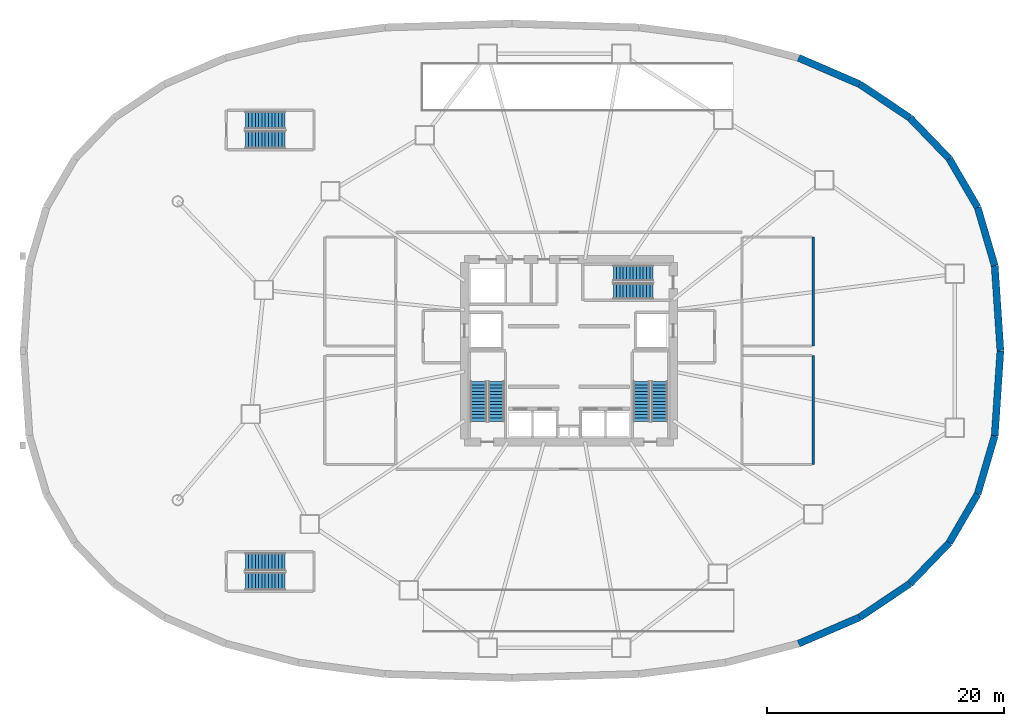
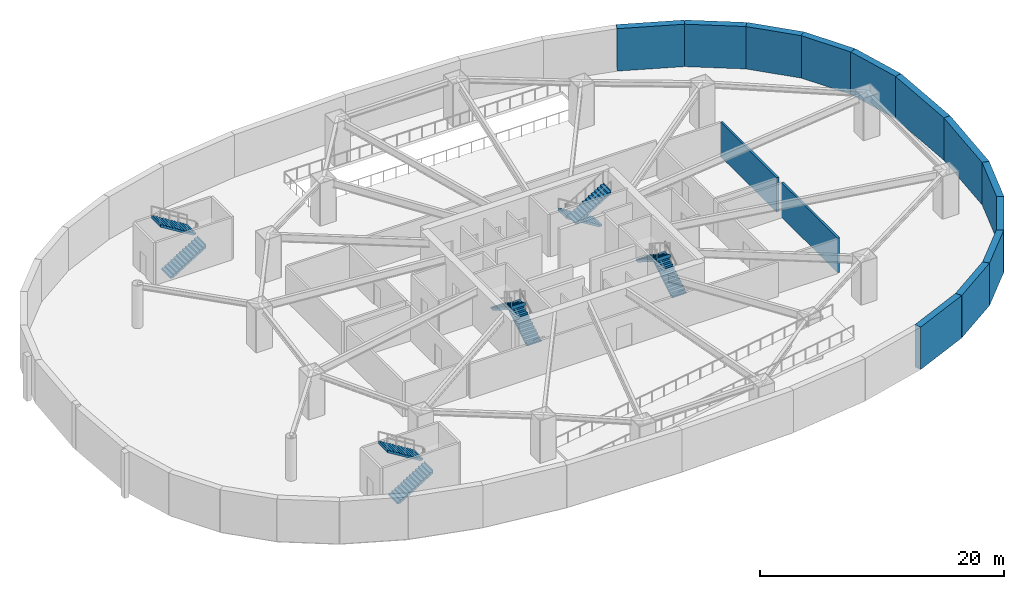
# One storey, part 5 of 10: 14 walls, 10 stair flights, 5 elements without a shape of their own.
"""IFC4 building model written with IfcOpenShell, lengths in metres."""

from ifc_helpers import new_model, si_unit, direction, frame, frame_2d, origin, place, context, subcontext, project, spatial, polyline, rectangle, outline, extrude, material, layer, layer_set, type_object, element, aggregate, save


model = new_model("IFC4")

# Units and contexts
model_context = context("Model", 3, precision=1e-05, world=origin(), true_north=direction((0.0, 1.0)))
body_context = subcontext(model_context, "Body", "Model", "MODEL_VIEW")
ifc_project = project(units=[si_unit("LENGTHUNIT", "METRE"), si_unit("AREAUNIT", "SQUARE_METRE"), si_unit("VOLUMEUNIT", "CUBIC_METRE"), si_unit("PLANEANGLEUNIT", "RADIAN"), si_unit("MASSUNIT", "GRAM", prefix="KILO"), si_unit("THERMODYNAMICTEMPERATUREUNIT", "KELVIN")], contexts=[model_context])

# Site, building, storey
site_placement = place(None, origin())
site = spatial("IfcSite", under=ifc_project, at=site_placement, CompositionType="ELEMENT")
building_placement = place(site_placement, origin())
building = spatial("IfcBuilding", under=site, at=building_placement, Name="Kethvar Cultural Tower", CompositionType="ELEMENT")
storey_placement = place(building_placement, frame((0.0, 0.0, -4.5)))
storey = spatial("IfcBuildingStorey", under=building, at=storey_placement, Name="B01", CompositionType="ELEMENT", Elevation=-4.5)

# Walls
ifc_material_1 = material(Name="Concrete C45/55", Category="concrete")
ifc_layer_1 = layer(ifc_material_1, 0.60009765625, Name="Concrete C45/55", Category="concrete")
ifc_layer_set_1 = layer_set([ifc_layer_1], Name="Concrete C45/55 (600 mm)")
wall_type_1 = type_object("IfcWallType", Name="WL-BSMT-600", PredefinedType="SHEAR", material=ifc_layer_set_1)
wall_1_placement = place(storey_placement, frame((83.199951171875, 27.800048828125, 0.0), z_axis=(0.0, 0.0, 1.0), x_axis=(-0.067018998283, 0.997751699507, 0.0)))
element("IfcWall", 1, at=wall_1_placement, inside=storey, type_object=wall_type_1, Name="B01 Perimeter Retaining Wall 01", PredefinedType="SHEAR", context=body_context, shape_type="SweptSolid", body=[
    extrude(rectangle(XDim=7.194580078125, YDim=0.60009765625, at=frame_2d((3.59716796875, 0.0))), origin(), (0.0, 0.0, 1.0), 4.25),
])
wall_2_placement = place(storey_placement, frame((82.7177734375, 34.978515625, 0.0), z_axis=(0.0, 0.0, 1.0), x_axis=(-0.281735210535, 0.959492194416, 0.0)))
element("IfcWall", 2, at=wall_2_placement, inside=storey, type_object=wall_type_1, Name="B01 Perimeter Retaining Wall 02", PredefinedType="SHEAR", context=body_context, shape_type="SweptSolid", body=[
    extrude(rectangle(XDim=5.12060546875, YDim=0.60009765625, at=frame_2d((2.560302734375, 0.0))), origin(), (0.0, 0.0, 1.0), 4.25),
])
wall_3_placement = place(storey_placement, frame((81.275146484375, 39.8916015625, 0.0), z_axis=(0.0, 0.0, 1.0), x_axis=(-0.503496923494, 0.863997018532, 0.0)))
element("IfcWall", 3, at=wall_3_placement, inside=storey, type_object=wall_type_1, Name="B01 Perimeter Retaining Wall 03", PredefinedType="SHEAR", context=body_context, shape_type="SweptSolid", body=[
    extrude(rectangle(XDim=4.748046875, YDim=0.60009765625, at=frame_2d((2.3740234375, 0.0))), origin(), (0.0, 0.0, 1.0), 4.25),
])
wall_4_placement = place(storey_placement, frame((78.884521484375, 43.993896484375, 0.0), z_axis=(0.0, 0.0, 1.0), x_axis=(-0.693368389068, 0.720583289455, 0.0)))
element("IfcWall", 4, at=wall_4_placement, inside=storey, type_object=wall_type_1, Name="B01 Perimeter Retaining Wall 04", PredefinedType="SHEAR", context=body_context, shape_type="SweptSolid", body=[
    extrude(rectangle(XDim=4.79052734375, YDim=0.60009765625, at=frame_2d((2.395263671875, 0.0))), origin(), (0.0, 0.0, 1.0), 4.25),
])
wall_5_placement = place(storey_placement, frame((75.56298828125, 47.44580078125, 0.0), z_axis=(0.0, 0.0, 1.0), x_axis=(-0.830803406524, 0.556565988638, 0.0)))
element("IfcWall", 5, at=wall_5_placement, inside=storey, type_object=wall_type_1, Name="B01 Perimeter Retaining Wall 05", PredefinedType="SHEAR", context=body_context, shape_type="SweptSolid", body=[
    extrude(rectangle(XDim=5.099365234375, YDim=0.60009765625, at=frame_2d((2.5498046875, 0.0))), origin(), (0.0, 0.0, 1.0), 4.25),
])
wall_6_placement = place(storey_placement, frame((71.326416015625, 50.283935546875, 0.0), z_axis=(0.0, 0.0, 1.0), x_axis=(-0.918068469745, 0.396421852147, 0.0)))
element("IfcWall", 6, at=wall_6_placement, inside=storey, type_object=wall_type_1, Name="B01 Perimeter Retaining Wall 06", PredefinedType="SHEAR", context=body_context, shape_type="SweptSolid", body=[
    extrude(rectangle(XDim=5.613037109375, YDim=0.60009765625, at=frame_2d((2.806640625, 0.0))), origin(), (0.0, 0.0, 1.0), 4.25),
])
wall_7_placement = place(storey_placement, frame((66.17333984375, 3.091064453125, 0.0), z_axis=(0.0, 0.0, 1.0), x_axis=(0.918084299297, 0.396385190671, 0.0)))
element("IfcWall", 7, at=wall_7_placement, inside=storey, type_object=wall_type_1, Name="B01 Perimeter Retaining Wall 31", PredefinedType="SHEAR", context=body_context, shape_type="SweptSolid", body=[
    extrude(rectangle(XDim=5.61279296875, YDim=0.60009765625, at=frame_2d((2.806396484375, 0.0))), origin(), (0.0, 0.0, 1.0), 4.25),
])
wall_8_placement = place(storey_placement, frame((71.326416015625, 5.31591796875, 0.0), z_axis=(0.0, 0.0, 1.0), x_axis=(0.830781268444, 0.556599033419, 0.0)))
element("IfcWall", 8, at=wall_8_placement, inside=storey, type_object=wall_type_1, Name="B01 Perimeter Retaining Wall 32", PredefinedType="SHEAR", context=body_context, shape_type="SweptSolid", body=[
    extrude(rectangle(XDim=5.099609375, YDim=0.60009765625, at=frame_2d((2.5498046875, 0.0))), origin(), (0.0, 0.0, 1.0), 4.25),
])
wall_9_placement = place(storey_placement, frame((75.56298828125, 8.154296875, 0.0), z_axis=(0.0, 0.0, 1.0), x_axis=(0.693368389068, 0.720583289455, 0.0)))
element("IfcWall", 9, at=wall_9_placement, inside=storey, type_object=wall_type_1, Name="B01 Perimeter Retaining Wall 33", PredefinedType="SHEAR", context=body_context, shape_type="SweptSolid", body=[
    extrude(rectangle(XDim=4.79052734375, YDim=0.60009765625, at=frame_2d((2.395263671875, 0.0))), origin(), (0.0, 0.0, 1.0), 4.25),
])
wall_10_placement = place(storey_placement, frame((78.884521484375, 11.606201171875, 0.0), z_axis=(0.0, 0.0, 1.0), x_axis=(0.503519292696, 0.863983982423, 0.0)))
element("IfcWall", 10, at=wall_10_placement, inside=storey, type_object=wall_type_1, Name="B01 Perimeter Retaining Wall 34", PredefinedType="SHEAR", context=body_context, shape_type="SweptSolid", body=[
    extrude(rectangle(XDim=4.747802734375, YDim=0.60009765625, at=frame_2d((2.3740234375, 0.0))), origin(), (0.0, 0.0, 1.0), 4.25),
])
wall_11_placement = place(storey_placement, frame((81.275146484375, 15.708251953125, 0.0), z_axis=(0.0, 0.0, 1.0), x_axis=(0.281735210535, 0.959492194416, 0.0)))
element("IfcWall", 11, at=wall_11_placement, inside=storey, type_object=wall_type_1, Name="B01 Perimeter Retaining Wall 35", PredefinedType="SHEAR", context=body_context, shape_type="SweptSolid", body=[
    extrude(rectangle(XDim=5.12060546875, YDim=0.60009765625, at=frame_2d((2.560302734375, 0.0))), origin(), (0.0, 0.0, 1.0), 4.25),
])
wall_12_placement = place(storey_placement, frame((82.7177734375, 20.621337890625, 0.0), z_axis=(0.0, 0.0, 1.0), x_axis=(0.067016729273, 0.997751851914, 0.0)))
element("IfcWall", 12, at=wall_12_placement, inside=storey, type_object=wall_type_1, Name="B01 Perimeter Retaining Wall 36", PredefinedType="SHEAR", context=body_context, shape_type="SweptSolid", body=[
    extrude(rectangle(XDim=7.19482421875, YDim=0.60009765625, at=frame_2d((3.597412109375, 0.0))), origin(), (0.0, 0.0, 1.0), 4.25),
])
ifc_material_2 = material(Name="Concrete C40/50", Category="concrete")
ifc_layer_2 = layer(ifc_material_2, 0.199951171875, Name="Concrete C40/50", Category="concrete")
ifc_layer_set_2 = layer_set([ifc_layer_2], Name="Concrete C40/50 (200 mm)")
wall_type_2 = type_object("IfcWallType", Name="WL-FIRE-200", PredefinedType="PARTITIONING", material=ifc_layer_set_2)
for number, where, z_axis, x_axis, name in (
    (13, (67.39990234375, 18.199951171875, 0.0), (0.0, 0.0, 1.0), (0.0, 1.0, 0.0), "B01 Domestic Water Plant Room Back Wall"),
    (14, (67.39990234375, 28.199951171875, 0.0), (0.0, 0.0, 1.0), (0.0, 1.0, 0.0), "B01 Main LV Switchboard Room Back Wall"),
):
    element("IfcWall", number, at=place(storey_placement, frame(where, z_axis=z_axis, x_axis=x_axis)), inside=storey, type_object=wall_type_2, Name=name, PredefinedType="PARTITIONING", context=body_context, shape_type="SweptSolid", body=[
        extrude(rectangle(XDim=9.199951171875, YDim=0.199951171875, at=frame_2d((4.60009765625, 0.0))), origin(), (0.0, 0.0, 1.0), 3.462890625),
    ])

# Stair, stair flights
stair_type_1 = type_object("IfcStairType", Name="ST-DOGLEG-135", PredefinedType="HALF_TURN_STAIR", material=ifc_material_2)
stair_1_placement = place(storey_placement, origin())
stair_1 = element("IfcStair", 15, at=stair_1_placement, inside=storey, type_object=stair_type_1, Name="B01 Core Exit Stair 1", PredefinedType="HALF_TURN_STAIR")
stair_flight_type_1 = type_object("IfcStairFlightType", Name="FL-STRAIGHT-135", PredefinedType="STRAIGHT", material=ifc_material_2)
stair_flight_1_placement = place(storey_placement, frame((40.675048828125, 21.85009765625, 0.0), z_axis=(0.0, 0.0, 1.0), x_axis=(0.0, 1.0, 0.0)))
stair_flight_1 = element("IfcStairFlight", 16, at=stair_flight_1_placement, type_object=stair_flight_type_1, Name="ST-01 flight 1", NumberOfRisers=13, NumberOfTreads=12, PredefinedType="STRAIGHT", RiserHeight=0.173076923, TreadLength=0.28, context=body_context, shape_type="SweptSolid", body=[
    extrude(outline(polyline([(-0.0009765625, -0.0009765625), (-0.0009765625, 0.173095703125), (0.280029296875, 0.173095703125), (0.280029296875, 0.34619140625), (0.56005859375, 0.34619140625), (0.56005859375, 0.519287109375), (0.840087890625, 0.519287109375), (0.840087890625, 0.6923828125), (1.1201171875, 0.6923828125), (1.1201171875, 0.865478515625), (1.39990234375, 0.865478515625), (1.39990234375, 1.03857421875), (1.679931640625, 1.03857421875), (1.679931640625, 1.21142578125), (1.9599609375, 1.21142578125), (1.9599609375, 1.384521484375), (2.239990234375, 1.384521484375), (2.239990234375, 1.5576171875), (2.52001953125, 1.5576171875), (2.52001953125, 1.730712890625), (2.800048828125, 1.730712890625), (2.800048828125, 1.90380859375), (3.080078125, 1.90380859375), (3.080078125, 2.076904296875), (3.360107421875, 2.076904296875), (3.360107421875, 2.25), (3.361083984375, 2.25), (3.361083984375, 1.900634765625), (0.28515625, 0.0), (0.0, -0.0009765625), (-0.0009765625, -0.0009765625)])), frame((0.0, 0.675048828125, 0.0), z_axis=(0.0, -1.0, 0.0), x_axis=(1.0, 0.0, 0.0)), (0.0, 0.0, 1.0), 1.35009765625),
])
stair_flight_2_placement = place(storey_placement, frame((39.1650390625, 25.2099609375, 2.25), z_axis=(0.0, 0.0, 1.0), x_axis=(0.0, -1.0, 0.0)))
stair_flight_2 = element("IfcStairFlight", 17, at=stair_flight_2_placement, type_object=stair_flight_type_1, Name="ST-01 flight 2", NumberOfRisers=13, NumberOfTreads=12, PredefinedType="STRAIGHT", RiserHeight=0.173076923, TreadLength=0.28, context=body_context, shape_type="SweptSolid", body=[
    extrude(outline(polyline([(-0.0009765625, -0.0009765625), (-0.0009765625, 0.173095703125), (0.280029296875, 0.173095703125), (0.280029296875, 0.34619140625), (0.56005859375, 0.34619140625), (0.56005859375, 0.519287109375), (0.840087890625, 0.519287109375), (0.840087890625, 0.6923828125), (1.1201171875, 0.6923828125), (1.1201171875, 0.865478515625), (1.39990234375, 0.865478515625), (1.39990234375, 1.03857421875), (1.679931640625, 1.03857421875), (1.679931640625, 1.21142578125), (1.9599609375, 1.21142578125), (1.9599609375, 1.384521484375), (2.239990234375, 1.384521484375), (2.239990234375, 1.5576171875), (2.52001953125, 1.5576171875), (2.52001953125, 1.730712890625), (2.800048828125, 1.730712890625), (2.800048828125, 1.90380859375), (3.080078125, 1.90380859375), (3.080078125, 2.076904296875), (3.360107421875, 2.076904296875), (3.360107421875, 2.25), (3.361083984375, 2.25), (3.361083984375, 1.900634765625), (0.28515625, 0.0), (0.0, -0.0009765625), (-0.0009765625, -0.0009765625)])), frame((0.0, 0.675048828125, 0.0), z_axis=(0.0, -1.0, 0.0), x_axis=(1.0, 0.0, 0.0)), (0.0, 0.0, 1.0), 1.35009765625),
])
aggregate(stair_1, [stair_flight_1, stair_flight_2])

stair_2_placement = place(storey_placement, origin())
stair_2 = element("IfcStair", 18, at=stair_2_placement, inside=storey, type_object=stair_type_1, Name="B01 Core Exit Stair 2", PredefinedType="HALF_TURN_STAIR")
stair_flight_3_placement = place(storey_placement, frame((54.43505859375, 21.85009765625, 0.0), z_axis=(0.0, 0.0, 1.0), x_axis=(0.0, 1.0, 0.0)))
stair_flight_3 = element("IfcStairFlight", 19, at=stair_flight_3_placement, type_object=stair_flight_type_1, Name="ST-02 flight 1", NumberOfRisers=13, NumberOfTreads=12, PredefinedType="STRAIGHT", RiserHeight=0.173076923, TreadLength=0.28, context=body_context, shape_type="SweptSolid", body=[
    extrude(outline(polyline([(-0.0009765625, -0.0009765625), (-0.0009765625, 0.173095703125), (0.280029296875, 0.173095703125), (0.280029296875, 0.34619140625), (0.56005859375, 0.34619140625), (0.56005859375, 0.519287109375), (0.840087890625, 0.519287109375), (0.840087890625, 0.6923828125), (1.1201171875, 0.6923828125), (1.1201171875, 0.865478515625), (1.39990234375, 0.865478515625), (1.39990234375, 1.03857421875), (1.679931640625, 1.03857421875), (1.679931640625, 1.21142578125), (1.9599609375, 1.21142578125), (1.9599609375, 1.384521484375), (2.239990234375, 1.384521484375), (2.239990234375, 1.5576171875), (2.52001953125, 1.5576171875), (2.52001953125, 1.730712890625), (2.800048828125, 1.730712890625), (2.800048828125, 1.90380859375), (3.080078125, 1.90380859375), (3.080078125, 2.076904296875), (3.360107421875, 2.076904296875), (3.360107421875, 2.25), (3.361083984375, 2.25), (3.361083984375, 1.900634765625), (0.28515625, 0.0), (0.0, -0.0009765625), (-0.0009765625, -0.0009765625)])), frame((0.0, 0.675048828125, 0.0), z_axis=(0.0, -1.0, 0.0), x_axis=(1.0, 0.0, 0.0)), (0.0, 0.0, 1.0), 1.35009765625),
])
stair_flight_4_placement = place(storey_placement, frame((52.925048828125, 25.2099609375, 2.25), z_axis=(0.0, 0.0, 1.0), x_axis=(0.0, -1.0, 0.0)))
stair_flight_4 = element("IfcStairFlight", 20, at=stair_flight_4_placement, type_object=stair_flight_type_1, Name="ST-02 flight 2", NumberOfRisers=13, NumberOfTreads=12, PredefinedType="STRAIGHT", RiserHeight=0.173076923, TreadLength=0.28, context=body_context, shape_type="SweptSolid", body=[
    extrude(outline(polyline([(-0.0009765625, -0.0009765625), (-0.0009765625, 0.173095703125), (0.280029296875, 0.173095703125), (0.280029296875, 0.34619140625), (0.56005859375, 0.34619140625), (0.56005859375, 0.519287109375), (0.840087890625, 0.519287109375), (0.840087890625, 0.6923828125), (1.1201171875, 0.6923828125), (1.1201171875, 0.865478515625), (1.39990234375, 0.865478515625), (1.39990234375, 1.03857421875), (1.679931640625, 1.03857421875), (1.679931640625, 1.21142578125), (1.9599609375, 1.21142578125), (1.9599609375, 1.384521484375), (2.239990234375, 1.384521484375), (2.239990234375, 1.5576171875), (2.52001953125, 1.5576171875), (2.52001953125, 1.730712890625), (2.800048828125, 1.730712890625), (2.800048828125, 1.90380859375), (3.080078125, 1.90380859375), (3.080078125, 2.076904296875), (3.360107421875, 2.076904296875), (3.360107421875, 2.25), (3.361083984375, 2.25), (3.361083984375, 1.900634765625), (0.28515625, 0.0), (0.0, -0.0009765625), (-0.0009765625, -0.0009765625)])), frame((0.0, 0.675048828125, 0.0), z_axis=(0.0, -1.0, 0.0), x_axis=(1.0, 0.0, 0.0)), (0.0, 0.0, 1.0), 1.35009765625),
])
aggregate(stair_2, [stair_flight_3, stair_flight_4])

stair_3_placement = place(storey_placement, origin())
stair_3 = element("IfcStair", 21, at=stair_3_placement, inside=storey, type_object=stair_type_1, Name="B01 Core Exit Stair 3", PredefinedType="HALF_TURN_STAIR")
stair_flight_5_placement = place(storey_placement, frame((53.89990234375, 34.3349609375, 0.0), z_axis=(0.0, 0.0, 1.0), x_axis=(-1.0, 0.0, 0.0)))
stair_flight_5 = element("IfcStairFlight", 22, at=stair_flight_5_placement, type_object=stair_flight_type_1, Name="ST-03 flight 1", NumberOfRisers=13, NumberOfTreads=12, PredefinedType="STRAIGHT", RiserHeight=0.173076923, TreadLength=0.28, context=body_context, shape_type="SweptSolid", body=[
    extrude(outline(polyline([(-0.0009765625, -0.0009765625), (-0.0009765625, 0.173095703125), (0.280029296875, 0.173095703125), (0.280029296875, 0.34619140625), (0.56005859375, 0.34619140625), (0.56005859375, 0.519287109375), (0.840087890625, 0.519287109375), (0.840087890625, 0.6923828125), (1.1201171875, 0.6923828125), (1.1201171875, 0.865478515625), (1.39990234375, 0.865478515625), (1.39990234375, 1.03857421875), (1.679931640625, 1.03857421875), (1.679931640625, 1.21142578125), (1.9599609375, 1.21142578125), (1.9599609375, 1.384521484375), (2.239990234375, 1.384521484375), (2.239990234375, 1.5576171875), (2.52001953125, 1.5576171875), (2.52001953125, 1.730712890625), (2.800048828125, 1.730712890625), (2.800048828125, 1.90380859375), (3.080078125, 1.90380859375), (3.080078125, 2.076904296875), (3.360107421875, 2.076904296875), (3.360107421875, 2.25), (3.361083984375, 2.25), (3.361083984375, 1.900634765625), (0.28515625, 0.0), (0.0, -0.0009765625), (-0.0009765625, -0.0009765625)])), frame((0.0, 0.675048828125, 0.0), z_axis=(0.0, -1.0, 0.0), x_axis=(1.0, 0.0, 0.0)), (0.0, 0.0, 1.0), 1.35009765625),
])
stair_flight_6_placement = place(storey_placement, frame((50.5400390625, 32.824951171875, 2.25), z_axis=(0.0, 0.0, 1.0), x_axis=(1.0, 0.0, 0.0)))
stair_flight_6 = element("IfcStairFlight", 23, at=stair_flight_6_placement, type_object=stair_flight_type_1, Name="ST-03 flight 2", NumberOfRisers=13, NumberOfTreads=12, PredefinedType="STRAIGHT", RiserHeight=0.173076923, TreadLength=0.28, context=body_context, shape_type="SweptSolid", body=[
    extrude(outline(polyline([(-0.0009765625, -0.0009765625), (-0.0009765625, 0.173095703125), (0.280029296875, 0.173095703125), (0.280029296875, 0.34619140625), (0.56005859375, 0.34619140625), (0.56005859375, 0.519287109375), (0.840087890625, 0.519287109375), (0.840087890625, 0.6923828125), (1.1201171875, 0.6923828125), (1.1201171875, 0.865478515625), (1.39990234375, 0.865478515625), (1.39990234375, 1.03857421875), (1.679931640625, 1.03857421875), (1.679931640625, 1.21142578125), (1.9599609375, 1.21142578125), (1.9599609375, 1.384521484375), (2.239990234375, 1.384521484375), (2.239990234375, 1.5576171875), (2.52001953125, 1.5576171875), (2.52001953125, 1.730712890625), (2.800048828125, 1.730712890625), (2.800048828125, 1.90380859375), (3.080078125, 1.90380859375), (3.080078125, 2.076904296875), (3.360107421875, 2.076904296875), (3.360107421875, 2.25), (3.361083984375, 2.25), (3.361083984375, 1.900634765625), (0.28515625, 0.0), (0.0, -0.0009765625), (-0.0009765625, -0.0009765625)])), frame((0.0, 0.675048828125, 0.0), z_axis=(0.0, -1.0, 0.0), x_axis=(1.0, 0.0, 0.0)), (0.0, 0.0, 1.0), 1.35009765625),
])
aggregate(stair_3, [stair_flight_5, stair_flight_6])

stair_type_2 = type_object("IfcStairType", Name="ST-DOGLEG-150", PredefinedType="HALF_TURN_STAIR", material=ifc_material_2)
stair_4_placement = place(storey_placement, origin())
stair_4 = element("IfcStair", 24, at=stair_4_placement, inside=storey, type_object=stair_type_2, Name="B01 Podium Auditorium Exit Stair 4", PredefinedType="HALF_TURN_STAIR")
stair_flight_type_2 = type_object("IfcStairFlightType", Name="FL-STRAIGHT-150", PredefinedType="STRAIGHT", material=ifc_material_2)
stair_flight_7_placement = place(storey_placement, frame((19.5, 8.35009765625, 0.0), z_axis=(0.0, 0.0, 1.0), x_axis=(1.0, 0.0, 0.0)))
stair_flight_7 = element("IfcStairFlight", 25, at=stair_flight_7_placement, type_object=stair_flight_type_2, Name="ST-04 flight 1", NumberOfRisers=13, NumberOfTreads=12, PredefinedType="STRAIGHT", RiserHeight=0.173076923, TreadLength=0.28, context=body_context, shape_type="SweptSolid", body=[
    extrude(outline(polyline([(-0.0009765625, -0.0009765625), (-0.0009765625, 0.173095703125), (0.280029296875, 0.173095703125), (0.280029296875, 0.34619140625), (0.56005859375, 0.34619140625), (0.56005859375, 0.519287109375), (0.840087890625, 0.519287109375), (0.840087890625, 0.6923828125), (1.1201171875, 0.6923828125), (1.1201171875, 0.865478515625), (1.39990234375, 0.865478515625), (1.39990234375, 1.03857421875), (1.679931640625, 1.03857421875), (1.679931640625, 1.21142578125), (1.9599609375, 1.21142578125), (1.9599609375, 1.384521484375), (2.239990234375, 1.384521484375), (2.239990234375, 1.5576171875), (2.52001953125, 1.5576171875), (2.52001953125, 1.730712890625), (2.800048828125, 1.730712890625), (2.800048828125, 1.90380859375), (3.080078125, 1.90380859375), (3.080078125, 2.076904296875), (3.360107421875, 2.076904296875), (3.360107421875, 2.25), (3.361083984375, 2.25), (3.361083984375, 1.900634765625), (0.28515625, 0.0), (0.0, -0.0009765625), (-0.0009765625, -0.0009765625)])), frame((0.0, 0.75, 0.0), z_axis=(0.0, -1.0, 0.0), x_axis=(1.0, 0.0, 0.0)), (0.0, 0.0, 1.0), 1.5),
])
stair_flight_8_placement = place(storey_placement, frame((22.860107421875, 10.010009765625, 2.25), z_axis=(0.0, 0.0, 1.0), x_axis=(-1.0, 0.0, 0.0)))
stair_flight_8 = element("IfcStairFlight", 26, at=stair_flight_8_placement, type_object=stair_flight_type_2, Name="ST-04 flight 2", NumberOfRisers=13, NumberOfTreads=12, PredefinedType="STRAIGHT", RiserHeight=0.173076923, TreadLength=0.28, context=body_context, shape_type="SweptSolid", body=[
    extrude(outline(polyline([(-0.0009765625, -0.0009765625), (-0.0009765625, 0.173095703125), (0.280029296875, 0.173095703125), (0.280029296875, 0.34619140625), (0.56005859375, 0.34619140625), (0.56005859375, 0.519287109375), (0.840087890625, 0.519287109375), (0.840087890625, 0.6923828125), (1.1201171875, 0.6923828125), (1.1201171875, 0.865478515625), (1.39990234375, 0.865478515625), (1.39990234375, 1.03857421875), (1.679931640625, 1.03857421875), (1.679931640625, 1.21142578125), (1.9599609375, 1.21142578125), (1.9599609375, 1.384521484375), (2.239990234375, 1.384521484375), (2.239990234375, 1.5576171875), (2.52001953125, 1.5576171875), (2.52001953125, 1.730712890625), (2.800048828125, 1.730712890625), (2.800048828125, 1.90380859375), (3.080078125, 1.90380859375), (3.080078125, 2.076904296875), (3.360107421875, 2.076904296875), (3.360107421875, 2.25), (3.361083984375, 2.25), (3.361083984375, 1.900634765625), (0.28515625, 0.0), (0.0, -0.0009765625), (-0.0009765625, -0.0009765625)])), frame((0.0, 0.75, 0.0), z_axis=(0.0, -1.0, 0.0), x_axis=(1.0, 0.0, 0.0)), (0.0, 0.0, 1.0), 1.5),
])
aggregate(stair_4, [stair_flight_7, stair_flight_8])

stair_5_placement = place(storey_placement, origin())
stair_5 = element("IfcStair", 27, at=stair_5_placement, inside=storey, type_object=stair_type_2, Name="B01 Podium Auditorium Exit Stair 5", PredefinedType="HALF_TURN_STAIR")
stair_flight_9_placement = place(storey_placement, frame((19.5, 45.590087890625, 0.0), z_axis=(0.0, 0.0, 1.0), x_axis=(1.0, 0.0, 0.0)))
stair_flight_9 = element("IfcStairFlight", 28, at=stair_flight_9_placement, type_object=stair_flight_type_2, Name="ST-05 flight 1", NumberOfRisers=13, NumberOfTreads=12, PredefinedType="STRAIGHT", RiserHeight=0.173076923, TreadLength=0.28, context=body_context, shape_type="SweptSolid", body=[
    extrude(outline(polyline([(-0.0009765625, -0.0009765625), (-0.0009765625, 0.173095703125), (0.280029296875, 0.173095703125), (0.280029296875, 0.34619140625), (0.56005859375, 0.34619140625), (0.56005859375, 0.519287109375), (0.840087890625, 0.519287109375), (0.840087890625, 0.6923828125), (1.1201171875, 0.6923828125), (1.1201171875, 0.865478515625), (1.39990234375, 0.865478515625), (1.39990234375, 1.03857421875), (1.679931640625, 1.03857421875), (1.679931640625, 1.21142578125), (1.9599609375, 1.21142578125), (1.9599609375, 1.384521484375), (2.239990234375, 1.384521484375), (2.239990234375, 1.5576171875), (2.52001953125, 1.5576171875), (2.52001953125, 1.730712890625), (2.800048828125, 1.730712890625), (2.800048828125, 1.90380859375), (3.080078125, 1.90380859375), (3.080078125, 2.076904296875), (3.360107421875, 2.076904296875), (3.360107421875, 2.25), (3.361083984375, 2.25), (3.361083984375, 1.900634765625), (0.28515625, 0.0), (0.0, -0.0009765625), (-0.0009765625, -0.0009765625)])), frame((0.0, 0.75, 0.0), z_axis=(0.0, -1.0, 0.0), x_axis=(1.0, 0.0, 0.0)), (0.0, 0.0, 1.0), 1.5),
])
stair_flight_10_placement = place(storey_placement, frame((22.860107421875, 47.25, 2.25), z_axis=(0.0, 0.0, 1.0), x_axis=(-1.0, 0.0, 0.0)))
stair_flight_10 = element("IfcStairFlight", 29, at=stair_flight_10_placement, type_object=stair_flight_type_2, Name="ST-05 flight 2", NumberOfRisers=13, NumberOfTreads=12, PredefinedType="STRAIGHT", RiserHeight=0.173076923, TreadLength=0.28, context=body_context, shape_type="SweptSolid", body=[
    extrude(outline(polyline([(-0.0009765625, -0.0009765625), (-0.0009765625, 0.173095703125), (0.280029296875, 0.173095703125), (0.280029296875, 0.34619140625), (0.56005859375, 0.34619140625), (0.56005859375, 0.519287109375), (0.840087890625, 0.519287109375), (0.840087890625, 0.6923828125), (1.1201171875, 0.6923828125), (1.1201171875, 0.865478515625), (1.39990234375, 0.865478515625), (1.39990234375, 1.03857421875), (1.679931640625, 1.03857421875), (1.679931640625, 1.21142578125), (1.9599609375, 1.21142578125), (1.9599609375, 1.384521484375), (2.239990234375, 1.384521484375), (2.239990234375, 1.5576171875), (2.52001953125, 1.5576171875), (2.52001953125, 1.730712890625), (2.800048828125, 1.730712890625), (2.800048828125, 1.90380859375), (3.080078125, 1.90380859375), (3.080078125, 2.076904296875), (3.360107421875, 2.076904296875), (3.360107421875, 2.25), (3.361083984375, 2.25), (3.361083984375, 1.900634765625), (0.28515625, 0.0), (0.0, -0.0009765625), (-0.0009765625, -0.0009765625)])), frame((0.0, 0.75, 0.0), z_axis=(0.0, -1.0, 0.0), x_axis=(1.0, 0.0, 0.0)), (0.0, 0.0, 1.0), 1.5),
])
aggregate(stair_5, [stair_flight_9, stair_flight_10])

save(model, "model.ifc")
